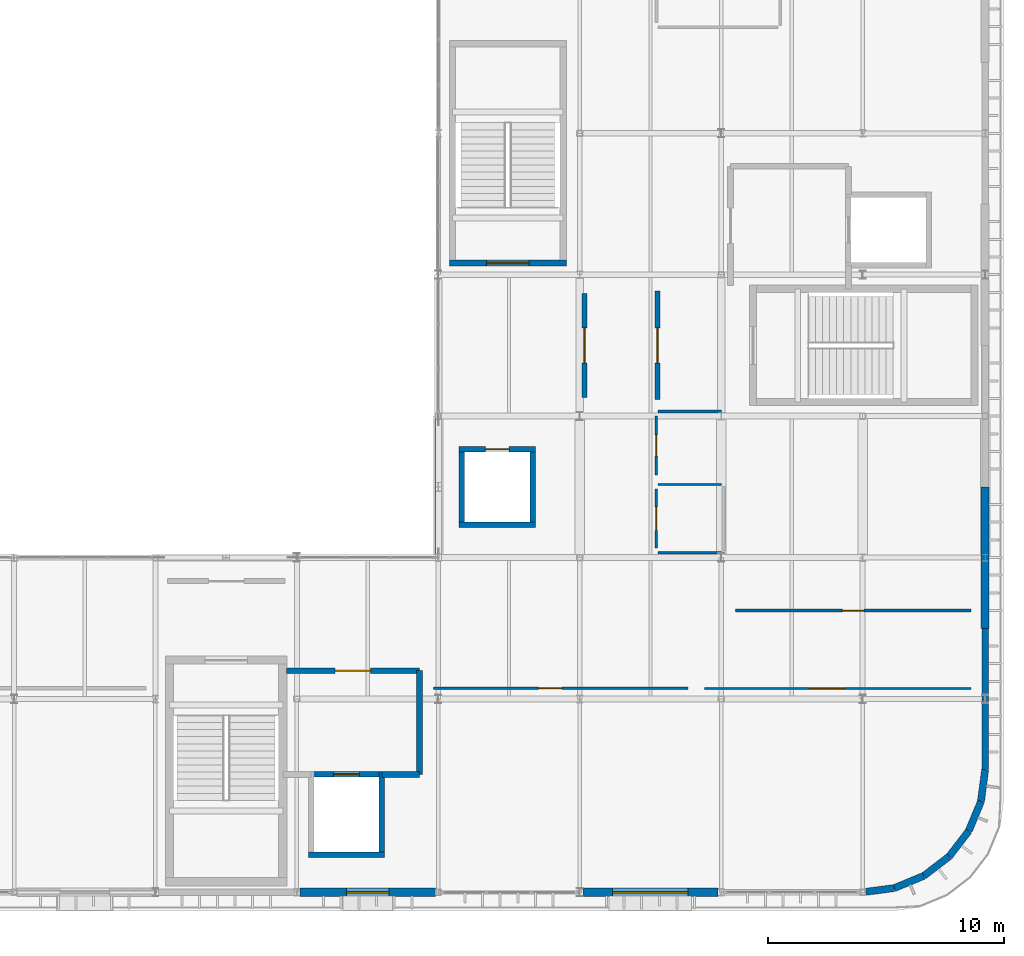
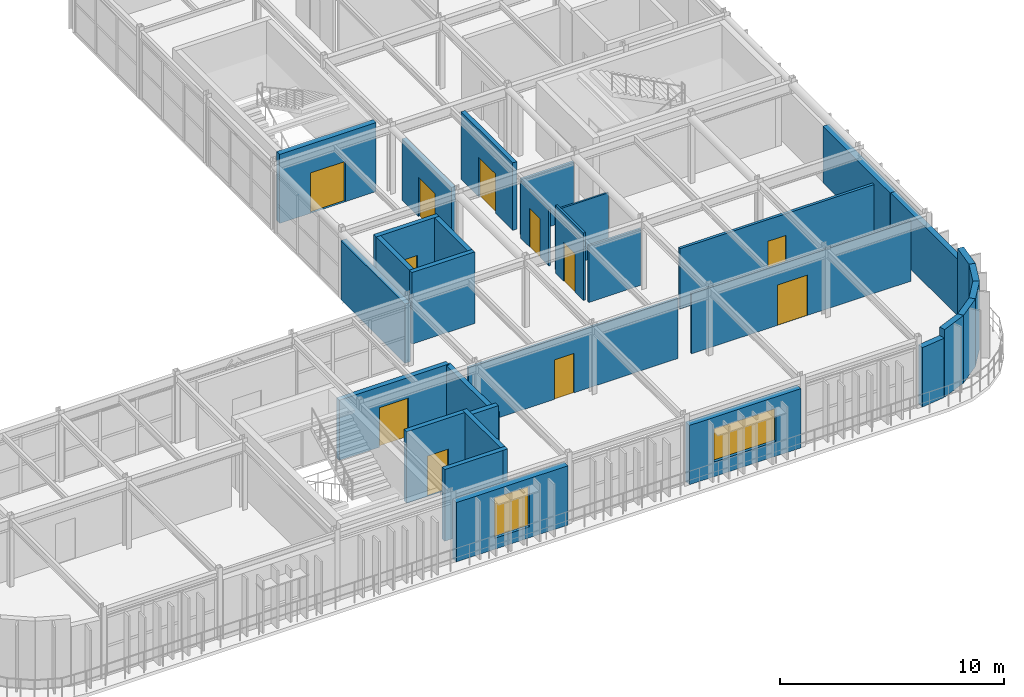
# One storey, part 51 of 63: 32 walls, 11 doors, 2 windows, 13 openings.
"""IFC4 building model written with IfcOpenShell, lengths in metres."""

from ifc_helpers import new_model, si_unit, direction, frame, frame_2d, origin, place, context, subcontext, project, spatial, rectangle, extrude, material, layer, layer_set, type_object, element, fill, save


model = new_model("IFC4")

# Units and contexts
model_context = context("Model", 3, precision=1e-05, world=origin(), true_north=direction((0.0, 1.0)))
body_context = subcontext(model_context, "Body", "Model", "MODEL_VIEW")
ifc_project = project(units=[si_unit("LENGTHUNIT", "METRE"), si_unit("AREAUNIT", "SQUARE_METRE"), si_unit("VOLUMEUNIT", "CUBIC_METRE"), si_unit("PLANEANGLEUNIT", "RADIAN"), si_unit("MASSUNIT", "GRAM", prefix="KILO")], contexts=[model_context])

# Site, building, storey
site_placement = place(None, origin())
site = spatial("IfcSite", under=ifc_project, at=site_placement, CompositionType="ELEMENT")
building_placement = place(site_placement, origin())
building = spatial("IfcBuilding", under=site, at=building_placement, Name="Varnakota Square Police Headquarters", CompositionType="ELEMENT")
storey_placement = place(building_placement, frame((0.0, 0.0, 22.199951171875)))
storey = spatial("IfcBuildingStorey", under=building, at=storey_placement, Name="L05", CompositionType="ELEMENT", Elevation=22.199951171875)

# Walls
ifc_material_1 = material(Name="Concrete M40", Category="concrete")
ifc_layer_1 = layer(ifc_material_1, 0.22998046875, Name="Concrete M40")
ifc_layer_set_1 = layer_set([ifc_layer_1], Name="Concrete M40")
wall_type_1 = type_object("IfcWallType", Name="WL-CORE-230", PredefinedType="SHEAR", material=ifc_layer_set_1)
wall_1_placement = place(storey_placement, frame((132.485107421875, 2.39990234375, 0.0), z_axis=(0.0, 0.0, 1.0), x_axis=(1.0, 0.0, 0.0)))
element("IfcWall", 1, at=wall_1_placement, inside=storey, type_object=wall_type_1, Name="Lift shaft wall LF-FF1 L05 S", PredefinedType="SHEAR", context=body_context, shape_type="SweptSolid", body=[
    extrude(rectangle(XDim=3.22998046875, YDim=0.22998046875, at=frame_2d((1.614990234375, 0.0))), origin(), (0.0, 0.0, 1.0), 3.900146484375),
])
wall_2_placement = place(storey_placement, frame((135.60009765625, 2.284912109375, 0.0), z_axis=(0.0, 0.0, 1.0), x_axis=(0.0, 1.0, 0.0)))
element("IfcWall", 2, at=wall_2_placement, inside=storey, type_object=wall_type_1, Name="Lift shaft wall LF-FF1 L05 E", PredefinedType="SHEAR", context=body_context, shape_type="SweptSolid", body=[
    extrude(rectangle(XDim=3.630126953125, YDim=0.22998046875, at=frame_2d((1.81494140625, 0.0))), origin(), (0.0, 0.0, 1.0), 3.900146484375),
])

# Wall, opening, door
wall_3_placement = place(storey_placement, frame((135.715087890625, 5.800048828125, 0.0), z_axis=(0.0, 0.0, 1.0), x_axis=(-1.0, 0.0, 0.0)))
wall_3 = element("IfcWall", 3, at=wall_3_placement, inside=storey, type_object=wall_type_1, Name="Lift shaft wall LF-FF1 L05 N", PredefinedType="SHEAR", context=body_context, shape_type="SweptSolid", body=[
    extrude(rectangle(XDim=3.22998046875, YDim=0.22998046875, at=frame_2d((1.614990234375, 0.0))), origin(), (0.0, 0.0, 1.0), 3.900146484375),
])
opening_1_placement = place(wall_3_placement, frame((1.06494140625, 0.0, 0.0)))
opening_1 = element("IfcOpeningElement", 4, at=opening_1_placement, cuts=wall_3, Name="Opening LD006", PredefinedType="OPENING", context=body_context, shape_type="SweptSolid", body=[
    extrude(rectangle(XDim=1.10009765625, YDim=2.199951171875, at=frame_2d((0.550048828125, 1.10009765625))), frame((0.0, 0.125, 0.0), z_axis=(0.0, -1.0, 0.0), x_axis=(1.0, 0.0, 0.0)), (0.0, 0.0, 1.0), 0.25),
])
ifc_material_2 = material(Name="Brushed Grade 316 Stainless Steel", Category="steel")
door_type_1 = type_object("IfcDoorType", Name="DR-LD-FF", OperationType="NOTDEFINED", PredefinedType="DOOR", material=ifc_material_2)
door_1_placement = place(opening_1_placement, origin())
door_1 = element("IfcDoor", 5, at=door_1_placement, inside=storey, type_object=door_type_1, Name="Lift sliding landing door LD006", OperationType="SLIDING_TO_LEFT", OverallHeight=2.199951171875, OverallWidth=1.10009765625, PredefinedType="DOOR", context=body_context, shape_type="SweptSolid", body=[
    extrude(rectangle(XDim=1.10009765625, YDim=2.199951171875, at=frame_2d((0.550048828125, 1.10009765625))), frame((0.0, 0.02490234375, 0.0), z_axis=(0.0, -1.0, 0.0), x_axis=(1.0, 0.0, 0.0)), (0.0, 0.0, 1.0), 0.050048828125),
])
fill(opening_1, door_1)

# Walls
wall_4_placement = place(storey_placement, frame((138.885009765625, 16.39990234375, 0.0), z_axis=(0.0, 0.0, 1.0), x_axis=(1.0, 0.0, 0.0)))
element("IfcWall", 6, at=wall_4_placement, inside=storey, type_object=wall_type_1, Name="Lift shaft wall LF-P1 L05 S", PredefinedType="SHEAR", context=body_context, shape_type="SweptSolid", body=[
    extrude(rectangle(XDim=3.22998046875, YDim=0.22998046875, at=frame_2d((1.614990234375, 0.0))), origin(), (0.0, 0.0, 1.0), 3.900146484375),
])
wall_5_placement = place(storey_placement, frame((142.0, 16.284912109375, 0.0), z_axis=(0.0, 0.0, 1.0), x_axis=(0.0, 1.0, 0.0)))
element("IfcWall", 7, at=wall_5_placement, inside=storey, type_object=wall_type_1, Name="Lift shaft wall LF-P1 L05 E", PredefinedType="SHEAR", context=body_context, shape_type="SweptSolid", body=[
    extrude(rectangle(XDim=3.43017578125, YDim=0.22998046875, at=frame_2d((1.715087890625, 0.0))), origin(), (0.0, 0.0, 1.0), 3.900146484375),
])

# Wall, opening, door
wall_6_placement = place(storey_placement, frame((142.114990234375, 19.60009765625, 0.0), z_axis=(0.0, 0.0, 1.0), x_axis=(-1.0, 0.0, 0.0)))
wall_6 = element("IfcWall", 8, at=wall_6_placement, inside=storey, type_object=wall_type_1, Name="Lift shaft wall LF-P1 L05 N", PredefinedType="SHEAR", context=body_context, shape_type="SweptSolid", body=[
    extrude(rectangle(XDim=3.22998046875, YDim=0.22998046875, at=frame_2d((1.614990234375, 0.0))), origin(), (0.0, 0.0, 1.0), 3.900146484375),
])
opening_2_placement = place(wall_6_placement, frame((1.114990234375, 0.0, 0.0)))
opening_2 = element("IfcOpeningElement", 9, at=opening_2_placement, cuts=wall_6, Name="Opening LD022", PredefinedType="OPENING", context=body_context, shape_type="SweptSolid", body=[
    extrude(rectangle(XDim=1.0, YDim=2.14990234375, at=frame_2d((0.5, 1.074951171875))), frame((0.0, 0.125, 0.0), z_axis=(0.0, -1.0, 0.0), x_axis=(1.0, 0.0, 0.0)), (0.0, 0.0, 1.0), 0.25),
])
door_type_2 = type_object("IfcDoorType", Name="DR-LD-PAX", OperationType="NOTDEFINED", PredefinedType="DOOR", material=ifc_material_2)
door_2_placement = place(opening_2_placement, origin())
door_2 = element("IfcDoor", 10, at=door_2_placement, inside=storey, type_object=door_type_2, Name="Lift sliding landing door LD022", OperationType="SLIDING_TO_LEFT", OverallHeight=2.14990234375, OverallWidth=1.0, PredefinedType="DOOR", context=body_context, shape_type="SweptSolid", body=[
    extrude(rectangle(XDim=1.0, YDim=2.14990234375, at=frame_2d((0.5, 1.074951171875))), frame((0.0, 0.02490234375, 0.0), z_axis=(0.0, -1.0, 0.0), x_axis=(1.0, 0.0, 0.0)), (0.0, 0.0, 1.0), 0.050048828125),
])
fill(opening_2, door_2)

# Wall
wall_7_placement = place(storey_placement, frame((139.0, 19.715087890625, 0.0), z_axis=(0.0, 0.0, 1.0), x_axis=(0.0, -1.0, 0.0)))
element("IfcWall", 11, at=wall_7_placement, inside=storey, type_object=wall_type_1, Name="Lift shaft wall LF-P1 L05 W", PredefinedType="SHEAR", context=body_context, shape_type="SweptSolid", body=[
    extrude(rectangle(XDim=3.43017578125, YDim=0.22998046875, at=frame_2d((1.715087890625, 0.0))), origin(), (0.0, 0.0, 1.0), 3.900146484375),
])

# Wall, opening, door
ifc_material_3 = material(Name="Concrete M50", Category="concrete")
ifc_layer_2 = layer(ifc_material_3, 0.27001953125, Name="Concrete M50")
ifc_layer_set_2 = layer_set([ifc_layer_2], Name="Concrete M50")
wall_type_2 = type_object("IfcWallType", Name="WL-CORE-270", PredefinedType="SHEAR", material=ifc_layer_set_2)
wall_8_placement = place(storey_placement, frame((138.465087890625, 27.5, 0.0), z_axis=(0.0, 0.0, 1.0), x_axis=(1.0, 0.0, 0.0)))
wall_8 = element("IfcWall", 12, at=wall_8_placement, inside=storey, type_object=wall_type_2, Name="Core C3 shear wall L05 S", PredefinedType="SHEAR", context=body_context, shape_type="SweptSolid", body=[
    extrude(rectangle(XDim=4.969970703125, YDim=0.27001953125, at=frame_2d((2.48486328125, 0.0))), origin(), (0.0, 0.0, 1.0), 3.760009765625),
])
opening_3_placement = place(wall_8_placement, frame((1.5849609375, 0.0, 0.0)))
opening_3 = element("IfcOpeningElement", 13, at=opening_3_placement, cuts=wall_8, Name="Opening SD054", PredefinedType="OPENING", context=body_context, shape_type="SweptSolid", body=[
    extrude(rectangle(XDim=1.800048828125, YDim=2.199951171875, at=frame_2d((0.89990234375, 1.10009765625))), frame((0.0, 0.14501953125, 0.0), z_axis=(0.0, -1.0, 0.0), x_axis=(1.0, 0.0, 0.0)), (0.0, 0.0, 1.0), 0.2900390625),
])
ifc_material_4 = material(Name="Powder-Coated Galvanised Steel", Category="steel")
door_type_3 = type_object("IfcDoorType", Name="DR-ST-180", OperationType="NOTDEFINED", PredefinedType="DOOR", material=ifc_material_4)
door_3_placement = place(opening_3_placement, origin())
door_3 = element("IfcDoor", 14, at=door_3_placement, inside=storey, type_object=door_type_3, Name="Protected stair door SD054", OperationType="DOUBLE_DOOR_SINGLE_SWING", OverallHeight=2.199951171875, OverallWidth=1.800048828125, PredefinedType="DOOR", context=body_context, shape_type="SweptSolid", body=[
    extrude(rectangle(XDim=1.800048828125, YDim=2.199951171875, at=frame_2d((0.89990234375, 1.10009765625))), frame((0.0, 0.02490234375, 0.0), z_axis=(0.0, -1.0, 0.0), x_axis=(1.0, 0.0, 0.0)), (0.0, 0.0, 1.0), 0.050048828125),
])
fill(opening_3, door_3)

# Walls
ifc_layer_3 = layer(ifc_material_1, 0.280029296875, Name="Concrete M40")
ifc_layer_set_3 = layer_set([ifc_layer_3], Name="Concrete M40")
wall_type_3 = type_object("IfcWallType", Name="WL-EXT-280", PredefinedType="SOLIDWALL", material=ifc_layer_set_3)
wall_9_placement = place(storey_placement, frame((161.199951171875, 6.0, 0.0), z_axis=(0.0, 0.0, 1.0), x_axis=(0.0, 1.0, 0.0)))
element("IfcWall", 15, at=wall_9_placement, inside=storey, type_object=wall_type_3, Name="Exterior wall EW-L05-0285", PredefinedType="SOLIDWALL", context=body_context, shape_type="SweptSolid", body=[
    extrude(rectangle(XDim=6.0, YDim=0.280029296875, at=frame_2d((3.0, 0.0))), origin(), (0.0, 0.0, 1.0), 3.080078125),
])
wall_10_placement = place(storey_placement, frame((138.0, 15.154052734375, 0.0), z_axis=(0.0, 0.0, 1.0), x_axis=(0.0, 1.0, 0.0)))
element("IfcWall", 16, at=wall_10_placement, inside=storey, type_object=wall_type_3, Name="Exterior wall EW-L05-0292", PredefinedType="SOLIDWALL", context=body_context, shape_type="SweptSolid", body=[
    extrude(rectangle(XDim=5.717041015625, YDim=0.280029296875, at=frame_2d((2.8583984375, 0.0))), origin(), (0.0, 0.0, 1.0), 3.22998046875),
])
ifc_material_5 = material(Name="Precast concrete M40", Category="concrete")
ifc_layer_4 = layer(ifc_material_5, 0.300048828125, Name="Precast concrete M40")
ifc_layer_set_4 = layer_set([ifc_layer_4], Name="Precast concrete M40")
wall_type_4 = type_object("IfcWallType", Name="WL-EXT-300", PredefinedType="SOLIDWALL", material=ifc_layer_set_4)
wall_11_placement = place(storey_placement, frame((156.14306640625, 0.81884765625, 0.0), z_axis=(0.0, 0.0, 1.0), x_axis=(0.99143579315, 0.130595053735, 0.0)))
element("IfcWall", 17, at=wall_11_placement, inside=storey, type_object=wall_type_4, Name="Exterior wall EW-L05-0304", PredefinedType="SOLIDWALL", context=body_context, shape_type="SweptSolid", body=[
    extrude(rectangle(XDim=1.21337890625, YDim=0.300048828125, at=frame_2d((0.606689453125, 0.0))), origin(), (0.0, 0.0, 1.0), 3.22998046875),
])
for number, where, z_axis, x_axis, name in (
    (18, (157.345947265625, 0.977294921875, 0.0), (0.0, 0.0, 1.0), (0.923931353894, 0.382558300513, 0.0), "Exterior wall EW-L05-0305"),
    (19, (158.60009765625, 1.49658203125, 0.0), (0.0, 0.0, 1.0), (0.793325486746, 0.608797726736, 0.0), "Exterior wall EW-L05-0306"),
    (20, (159.677001953125, 2.322998046875, 0.0), (0.0, 0.0, 1.0), (0.608797726736, 0.793325486746, 0.0), "Exterior wall EW-L05-0307"),
    (21, (160.50341796875, 3.39990234375, 0.0), (0.0, 0.0, 1.0), (0.382558300513, 0.923931353894, 0.0), "Exterior wall EW-L05-0308"),
):
    element("IfcWall", number, at=place(storey_placement, frame(where, z_axis=z_axis, x_axis=x_axis)), inside=storey, type_object=wall_type_4, Name=name, PredefinedType="SOLIDWALL", context=body_context, shape_type="SweptSolid", body=[
        extrude(rectangle(XDim=1.357421875, YDim=0.300048828125, at=frame_2d((0.6787109375, 0.0))), origin(), (0.0, 0.0, 1.0), 3.68505859375),
    ])
wall_12_placement = place(storey_placement, frame((161.022705078125, 4.654052734375, 0.0), z_axis=(0.0, 0.0, 1.0), x_axis=(0.130561507967, 0.991440211328, 0.0)))
element("IfcWall", 22, at=wall_12_placement, inside=storey, type_object=wall_type_4, Name="Exterior wall EW-L05-0309", PredefinedType="SOLIDWALL", context=body_context, shape_type="SweptSolid", body=[
    extrude(rectangle(XDim=1.357666015625, YDim=0.300048828125, at=frame_2d((0.6787109375, 0.0))), origin(), (0.0, 0.0, 1.0), 3.68505859375),
])

# Wall, opening, window
ifc_layer_5 = layer(ifc_material_1, 0.340087890625, Name="Concrete M40")
ifc_layer_set_5 = layer_set([ifc_layer_5], Name="Concrete M40")
wall_type_5 = type_object("IfcWallType", Name="WL-EXT-340", PredefinedType="SOLIDWALL", material=ifc_layer_set_5)
wall_13_placement = place(storey_placement, frame((132.12890625, 0.800048828125, 0.0), z_axis=(0.0, 0.0, 1.0), x_axis=(1.0, 0.0, 0.0)))
wall_13 = element("IfcWall", 23, at=wall_13_placement, inside=storey, type_object=wall_type_5, Name="Exterior wall EW-L05-0283", PredefinedType="SOLIDWALL", context=body_context, shape_type="SweptSolid", body=[
    extrude(rectangle(XDim=5.7421875, YDim=0.340087890625, at=frame_2d((2.87109375, 0.0))), origin(), (0.0, 0.0, 1.0), 3.22998046875),
])
opening_4_placement = place(wall_13_placement, frame((1.970947265625, 0.0, 0.60009765625)))
opening_4 = element("IfcOpeningElement", 24, at=opening_4_placement, cuts=wall_13, Name="Opening W11", PredefinedType="OPENING", context=body_context, shape_type="SweptSolid", body=[
    extrude(rectangle(XDim=1.800048828125, YDim=2.199951171875, at=frame_2d((0.89990234375, 1.10009765625))), frame((0.0, 0.179931640625, 0.0), z_axis=(0.0, -1.0, 0.0), x_axis=(1.0, 0.0, 0.0)), (0.0, 0.0, 1.0), 0.360107421875),
])
ifc_material_6 = material(Name="Thermally Broken Aluminium Double-Glazed Window", Category="aluminium")
window_type_1 = type_object("IfcWindowType", Name="WIN-11", PartitioningType="SINGLE_PANEL", PredefinedType="WINDOW", material=ifc_material_6)
window_1_placement = place(opening_4_placement, origin())
window_1 = element("IfcWindow", 25, at=window_1_placement, inside=storey, type_object=window_type_1, Name="Window WN-L05-0048", OverallHeight=2.199951171875, OverallWidth=1.800048828125, PartitioningType="SINGLE_PANEL", PredefinedType="WINDOW", context=body_context, shape_type="SweptSolid", body=[
    extrude(rectangle(XDim=1.800048828125, YDim=2.199951171875, at=frame_2d((0.89990234375, 1.10009765625))), frame((0.0, 0.030029296875, 0.0), z_axis=(0.0, -1.0, 0.0), x_axis=(1.0, 0.0, 0.0)), (0.0, 0.0, 1.0), 0.06005859375),
])
fill(opening_4, window_1)

wall_14_placement = place(storey_placement, frame((144.12890625, 0.800048828125, 0.0), z_axis=(0.0, 0.0, 1.0), x_axis=(1.0, 0.0, 0.0)))
wall_14 = element("IfcWall", 26, at=wall_14_placement, inside=storey, type_object=wall_type_5, Name="Exterior wall EW-L05-0284", PredefinedType="SOLIDWALL", context=body_context, shape_type="SweptSolid", body=[
    extrude(rectangle(XDim=5.7421875, YDim=0.340087890625, at=frame_2d((2.87109375, 0.0))), origin(), (0.0, 0.0, 1.0), 3.22998046875),
])
opening_5_placement = place(wall_14_placement, frame((1.27099609375, 0.0, 0.800048828125)))
opening_5 = element("IfcOpeningElement", 27, at=opening_5_placement, cuts=wall_14, Name="Opening W15", PredefinedType="OPENING", context=body_context, shape_type="SweptSolid", body=[
    extrude(rectangle(XDim=3.199951171875, YDim=1.800048828125, at=frame_2d((1.60009765625, 0.89990234375))), frame((0.0, 0.179931640625, 0.0), z_axis=(0.0, -1.0, 0.0), x_axis=(1.0, 0.0, 0.0)), (0.0, 0.0, 1.0), 0.360107421875),
])
window_type_2 = type_object("IfcWindowType", Name="WIN-15", PartitioningType="SINGLE_PANEL", PredefinedType="WINDOW", material=ifc_material_6)
window_2_placement = place(opening_5_placement, origin())
window_2 = element("IfcWindow", 28, at=window_2_placement, inside=storey, type_object=window_type_2, Name="Window WN-L05-0049", OverallHeight=1.800048828125, OverallWidth=3.199951171875, PartitioningType="SINGLE_PANEL", PredefinedType="WINDOW", context=body_context, shape_type="SweptSolid", body=[
    extrude(rectangle(XDim=3.199951171875, YDim=1.800048828125, at=frame_2d((1.60009765625, 0.89990234375))), frame((0.0, 0.030029296875, 0.0), z_axis=(0.0, -1.0, 0.0), x_axis=(1.0, 0.0, 0.0)), (0.0, 0.0, 1.0), 0.06005859375),
])
fill(opening_5, window_2)

# Wall
wall_15_placement = place(storey_placement, frame((161.199951171875, 12.0, 0.0), z_axis=(0.0, 0.0, 1.0), x_axis=(0.0, 1.0, 0.0)))
element("IfcWall", 29, at=wall_15_placement, inside=storey, type_object=wall_type_5, Name="Exterior wall EW-L05-0286", PredefinedType="SOLIDWALL", context=body_context, shape_type="SweptSolid", body=[
    extrude(rectangle(XDim=6.0, YDim=0.340087890625, at=frame_2d((3.0, 0.0))), origin(), (0.0, 0.0, 1.0), 3.080078125),
])

# Wall, opening, door
ifc_material_7 = material(Name="Lightweight Demountable Office Partition", Category="gypsum")
ifc_layer_6 = layer(ifc_material_7, 0.094970703125, Name="Lightweight Demountable Office Partition")
ifc_layer_set_6 = layer_set([ifc_layer_6], Name="Lightweight Demountable Office Partition")
wall_type_6 = type_object("IfcWallType", Name="WL-PRT-095", PredefinedType="PARTITIONING", material=ifc_layer_set_6)
wall_16_placement = place(storey_placement, frame((147.25, 18.5, 0.0), z_axis=(0.0, 0.0, 1.0), x_axis=(0.0, 1.0, 0.0)))
wall_16 = element("IfcWall", 30, at=wall_16_placement, inside=storey, type_object=wall_type_6, Name="Interior partition PW-L05-0220 (L05 Operations Men Washroom WC)", PredefinedType="PARTITIONING", context=body_context, shape_type="SweptSolid", body=[
    extrude(rectangle(XDim=2.5, YDim=0.094970703125, at=frame_2d((1.25, 0.0))), origin(), (0.0, 0.0, 1.0), 3.080078125),
])
opening_6_placement = place(wall_16_placement, frame((0.800048828125, 0.0, 0.0)))
opening_6 = element("IfcOpeningElement", 31, at=opening_6_placement, cuts=wall_16, Name="Opening D274", PredefinedType="OPENING", context=body_context, shape_type="SweptSolid", body=[
    extrude(rectangle(XDim=0.89990234375, YDim=2.10009765625, at=frame_2d((0.449951171875, 1.050048828125))), frame((0.0, 0.057373046875, 0.0), z_axis=(0.0, -1.0, 0.0), x_axis=(1.0, 0.0, 0.0)), (0.0, 0.0, 1.0), 0.114990234375),
])
ifc_material_8 = material(Name="High-Pressure Moisture-Resistant Compact Laminate")
door_type_4 = type_object("IfcDoorType", Name="DR-WC-090", OperationType="NOTDEFINED", PredefinedType="DOOR", material=ifc_material_8)
door_4_placement = place(opening_6_placement, origin())
door_4 = element("IfcDoor", 32, at=door_4_placement, inside=storey, type_object=door_type_4, Name="Room door D274 (L05 Operations Men Washroom WC)", OperationType="SINGLE_SWING_LEFT", OverallHeight=2.10009765625, OverallWidth=0.89990234375, PredefinedType="DOOR", context=body_context, shape_type="SweptSolid", body=[
    extrude(rectangle(XDim=0.89990234375, YDim=2.10009765625, at=frame_2d((0.449951171875, 1.050048828125))), frame((0.0, 0.02490234375, 0.0), z_axis=(0.0, -1.0, 0.0), x_axis=(1.0, 0.0, 0.0)), (0.0, 0.0, 1.0), 0.050048828125),
])
fill(opening_6, door_4)

wall_17_placement = place(storey_placement, frame((149.300048828125, 9.449951171875, 0.0), z_axis=(0.0, 0.0, 1.0), x_axis=(1.0, 0.0, 0.0)))
wall_17 = element("IfcWall", 33, at=wall_17_placement, inside=storey, type_object=wall_type_6, Name="Interior partition PW-L05-0230 (Special Taskforce Conference Room)", PredefinedType="PARTITIONING", context=body_context, shape_type="SweptSolid", body=[
    extrude(rectangle(XDim=11.300048828125, YDim=0.094970703125, at=frame_2d((5.64990234375, 0.0))), origin(), (0.0, 0.0, 1.0), 3.280029296875),
])
opening_7_placement = place(wall_17_placement, frame((4.425048828125, 0.0, 0.0)))
opening_7 = element("IfcOpeningElement", 34, at=opening_7_placement, cuts=wall_17, Name="Opening D284", PredefinedType="OPENING", context=body_context, shape_type="SweptSolid", body=[
    extrude(rectangle(XDim=1.550048828125, YDim=2.199951171875, at=frame_2d((0.77490234375, 1.10009765625))), frame((0.0, 0.057373046875, 0.0), z_axis=(0.0, -1.0, 0.0), x_axis=(1.0, 0.0, 0.0)), (0.0, 0.0, 1.0), 0.114990234375),
])
ifc_material_9 = material(Name="Solid-Core Acoustic Oak Veneer Timber", Category="wood")
door_type_5 = type_object("IfcDoorType", Name="DR-BRF-155", OperationType="NOTDEFINED", PredefinedType="DOOR", material=ifc_material_9)
door_5_placement = place(opening_7_placement, origin())
door_5 = element("IfcDoor", 35, at=door_5_placement, inside=storey, type_object=door_type_5, Name="Room door D284 (Special Taskforce Conference Room)", OperationType="DOUBLE_DOOR_SINGLE_SWING", OverallHeight=2.199951171875, OverallWidth=1.550048828125, PredefinedType="DOOR", context=body_context, shape_type="SweptSolid", body=[
    extrude(rectangle(XDim=1.550048828125, YDim=2.199951171875, at=frame_2d((0.77490234375, 1.10009765625))), frame((0.0, 0.02490234375, 0.0), z_axis=(0.0, -1.0, 0.0), x_axis=(1.0, 0.0, 0.0)), (0.0, 0.0, 1.0), 0.050048828125),
])
fill(opening_7, door_5)

# Walls
wall_18_placement = place(storey_placement, frame((147.330078125, 18.10009765625, 0.0), z_axis=(0.0, 0.0, 1.0), x_axis=(1.0, 0.0, 0.0)))
element("IfcWall", 36, at=wall_18_placement, inside=storey, type_object=wall_type_6, Name="Interior dividing partition PW-L05-0236 (L05 Accessible WC East)", PredefinedType="PARTITIONING", context=body_context, shape_type="SweptSolid", body=[
    extrude(rectangle(XDim=2.68994140625, YDim=0.094970703125, at=frame_2d((1.344970703125, 0.0))), origin(), (0.0, 0.0, 1.0), 3.273681640625),
])
ifc_material_10 = material(Name="Glazed Clean-Lab Modular Partition", Category="gypsum")
ifc_layer_7 = layer(ifc_material_10, 0.10498046875, Name="Glazed Clean-Lab Modular Partition")
ifc_layer_set_7 = layer_set([ifc_layer_7], Name="Glazed Clean-Lab Modular Partition")
wall_type_7 = type_object("IfcWallType", Name="WL-PRT-105", PredefinedType="PARTITIONING", material=ifc_layer_set_7)
wall_19_placement = place(storey_placement, frame((150.02001953125, 15.199951171875, 0.0), z_axis=(0.0, 0.0, 1.0), x_axis=(-1.0, 0.0, 0.0)))
element("IfcWall", 37, at=wall_19_placement, inside=storey, type_object=wall_type_7, Name="Interior dividing partition PW-L05-0235 (L05 Accessible WC East)", PredefinedType="PARTITIONING", context=body_context, shape_type="SweptSolid", body=[
    extrude(rectangle(XDim=2.68994140625, YDim=0.10498046875, at=frame_2d((1.344970703125, 0.0))), origin(), (0.0, 0.0, 1.0), 3.080078125),
])

# Wall, opening, door
ifc_material_11 = material(Name="Moisture-Resistant Tile-Backed Partition", Category="gypsum")
ifc_layer_8 = layer(ifc_material_11, 0.114990234375, Name="Moisture-Resistant Tile-Backed Partition")
ifc_layer_set_8 = layer_set([ifc_layer_8], Name="Moisture-Resistant Tile-Backed Partition")
wall_type_8 = type_object("IfcWallType", Name="WL-PRT-115", PredefinedType="PARTITIONING", material=ifc_layer_set_8)
wall_20_placement = place(storey_placement, frame((147.25, 15.39990234375, 0.0), z_axis=(0.0, 0.0, 1.0), x_axis=(0.0, 1.0, 0.0)))
wall_20 = element("IfcWall", 38, at=wall_20_placement, inside=storey, type_object=wall_type_8, Name="Interior partition PW-L05-0219 (L05 Accessible WC East)", PredefinedType="PARTITIONING", context=body_context, shape_type="SweptSolid", body=[
    extrude(rectangle(XDim=2.5, YDim=0.114990234375, at=frame_2d((1.25, 0.0))), origin(), (0.0, 0.0, 1.0), 3.679931640625),
])
opening_8_placement = place(wall_20_placement, frame((0.75, 0.0, 0.0)))
opening_8 = element("IfcOpeningElement", 39, at=opening_8_placement, cuts=wall_20, Name="Opening D273", PredefinedType="OPENING", context=body_context, shape_type="SweptSolid", body=[
    extrude(rectangle(XDim=1.0, YDim=2.10009765625, at=frame_2d((0.5, 1.050048828125))), frame((0.0, 0.0673828125, 0.0), z_axis=(0.0, -1.0, 0.0), x_axis=(1.0, 0.0, 0.0)), (0.0, 0.0, 1.0), 0.135009765625),
])
ifc_material_12 = material(Name="Antimicrobial High-Pressure Compact Laminate")
door_type_6 = type_object("IfcDoorType", Name="DR-WCA-100", OperationType="NOTDEFINED", PredefinedType="DOOR", material=ifc_material_12)
door_6_placement = place(opening_8_placement, origin())
door_6 = element("IfcDoor", 40, at=door_6_placement, inside=storey, type_object=door_type_6, Name="Room door D273 (L05 Accessible WC East)", OperationType="SINGLE_SWING_RIGHT", OverallHeight=2.10009765625, OverallWidth=1.0, PredefinedType="DOOR", context=body_context, shape_type="SweptSolid", body=[
    extrude(rectangle(XDim=1.0, YDim=2.10009765625, at=frame_2d((0.5, 1.050048828125))), frame((0.0, 0.02490234375, 0.0), z_axis=(0.0, -1.0, 0.0), x_axis=(1.0, 0.0, 0.0)), (0.0, 0.0, 1.0), 0.050048828125),
])
fill(opening_8, door_6)

wall_21_placement = place(storey_placement, frame((137.800048828125, 9.449951171875, 0.0), z_axis=(0.0, 0.0, 1.0), x_axis=(1.0, 0.0, 0.0)))
wall_21 = element("IfcWall", 41, at=wall_21_placement, inside=storey, type_object=wall_type_8, Name="Interior partition PW-L05-0229 (Financial Intelligence Unit Office)", PredefinedType="PARTITIONING", context=body_context, shape_type="SweptSolid", body=[
    extrude(rectangle(XDim=10.800048828125, YDim=0.114990234375, at=frame_2d((5.39990234375, 0.0))), origin(), (0.0, 0.0, 1.0), 3.280029296875),
])
opening_9_placement = place(wall_21_placement, frame((4.449951171875, 0.0, 0.0)))
opening_9 = element("IfcOpeningElement", 42, at=opening_9_placement, cuts=wall_21, Name="Opening D283", PredefinedType="OPENING", context=body_context, shape_type="SweptSolid", body=[
    extrude(rectangle(XDim=1.0, YDim=2.14990234375, at=frame_2d((0.5, 1.074951171875))), frame((0.0, 0.0673828125, 0.0), z_axis=(0.0, -1.0, 0.0), x_axis=(1.0, 0.0, 0.0)), (0.0, 0.0, 1.0), 0.135009765625),
])
ifc_material_13 = material(Name="Solid-Core Teak Veneer Hardwood", Category="wood")
door_type_7 = type_object("IfcDoorType", Name="DR-OFF-100", OperationType="NOTDEFINED", PredefinedType="DOOR", material=ifc_material_13)
door_7_placement = place(opening_9_placement, origin())
door_7 = element("IfcDoor", 43, at=door_7_placement, inside=storey, type_object=door_type_7, Name="Room door D283 (Financial Intelligence Unit Office)", OperationType="SINGLE_SWING_RIGHT", OverallHeight=2.14990234375, OverallWidth=1.0, PredefinedType="DOOR", context=body_context, shape_type="SweptSolid", body=[
    extrude(rectangle(XDim=1.0, YDim=2.14990234375, at=frame_2d((0.5, 1.074951171875))), frame((0.0, 0.02490234375, 0.0), z_axis=(0.0, -1.0, 0.0), x_axis=(1.0, 0.0, 0.0)), (0.0, 0.0, 1.0), 0.050048828125),
])
fill(opening_9, door_7)

# Wall
ifc_material_14 = material(Name="Acoustic Insulated Metal-Stud Partition", Category="gypsum")
ifc_layer_9 = layer(ifc_material_14, 0.125, Name="Acoustic Insulated Metal-Stud Partition")
ifc_layer_set_9 = layer_set([ifc_layer_9], Name="Acoustic Insulated Metal-Stud Partition")
wall_type_9 = type_object("IfcWallType", Name="WL-PRT-125", PredefinedType="PARTITIONING", material=ifc_layer_set_9)
wall_22_placement = place(storey_placement, frame((147.330078125, 21.199951171875, 0.0), z_axis=(0.0, 0.0, 1.0), x_axis=(1.0, 0.0, 0.0)))
element("IfcWall", 44, at=wall_22_placement, inside=storey, type_object=wall_type_9, Name="Interior dividing partition PW-L05-0237 (L05 Operations Men Washroom WC)", PredefinedType="PARTITIONING", context=body_context, shape_type="SweptSolid", body=[
    extrude(rectangle(XDim=2.68994140625, YDim=0.125, at=frame_2d((1.344970703125, 0.0))), origin(), (0.0, 0.0, 1.0), 3.080078125),
])

# Wall, opening, door
ifc_layer_10 = layer(ifc_material_14, 0.139892578125, Name="Acoustic Insulated Metal-Stud Partition")
ifc_layer_set_10 = layer_set([ifc_layer_10], Name="Acoustic Insulated Metal-Stud Partition")
wall_type_10 = type_object("IfcWallType", Name="WL-PRT-140", PredefinedType="PARTITIONING", material=ifc_layer_set_10)
wall_23_placement = place(storey_placement, frame((160.60009765625, 12.75, 0.0), z_axis=(0.0, 0.0, 1.0), x_axis=(-1.0, 0.0, 0.0)))
wall_23 = element("IfcWall", 45, at=wall_23_placement, inside=storey, type_object=wall_type_10, Name="Interior partition PW-L05-0233 (Fifth Floor Staff Canteen Pantry)", PredefinedType="PARTITIONING", context=body_context, shape_type="SweptSolid", body=[
    extrude(rectangle(XDim=10.0, YDim=0.139892578125, at=frame_2d((5.0, 0.0))), origin(), (0.0, 0.0, 1.0), 3.280029296875),
])
opening_10_placement = place(wall_23_placement, frame((4.5400390625, 0.0, 0.0)))
opening_10 = element("IfcOpeningElement", 46, at=opening_10_placement, cuts=wall_23, Name="Opening D287", PredefinedType="OPENING", context=body_context, shape_type="SweptSolid", body=[
    extrude(rectangle(XDim=0.919921875, YDim=2.10009765625, at=frame_2d((0.4599609375, 1.050048828125))), frame((0.0, 0.079833984375, 0.0), z_axis=(0.0, -1.0, 0.0), x_axis=(1.0, 0.0, 0.0)), (0.0, 0.0, 1.0), 0.159912109375),
])
ifc_material_15 = material(Name="High-Pressure Melamine-Faced Hardwood Core", Category="wood")
door_type_8 = type_object("IfcDoorType", Name="DR-PAN-092", OperationType="NOTDEFINED", PredefinedType="DOOR", material=ifc_material_15)
door_8_placement = place(opening_10_placement, origin())
door_8 = element("IfcDoor", 47, at=door_8_placement, inside=storey, type_object=door_type_8, Name="Room door D287 (Fifth Floor Staff Canteen Pantry)", OperationType="SINGLE_SWING_LEFT", OverallHeight=2.10009765625, OverallWidth=0.919921875, PredefinedType="DOOR", context=body_context, shape_type="SweptSolid", body=[
    extrude(rectangle(XDim=0.919921875, YDim=2.10009765625, at=frame_2d((0.4599609375, 1.050048828125))), frame((0.0, 0.02490234375, 0.0), z_axis=(0.0, -1.0, 0.0), x_axis=(1.0, 0.0, 0.0)), (0.0, 0.0, 1.0), 0.050048828125),
])
fill(opening_10, door_8)

ifc_layer_11 = layer(ifc_material_1, 0.215087890625, Name="Concrete M40")
ifc_layer_set_11 = layer_set([ifc_layer_11], Name="Concrete M40")
wall_type_11 = type_object("IfcWallType", Name="WL-PRT-215F", PredefinedType="PARTITIONING", material=ifc_layer_set_11)
wall_24_placement = place(storey_placement, frame((147.300048828125, 21.699951171875, 0.0), z_axis=(0.0, 0.0, 1.0), x_axis=(0.0, 1.0, 0.0)))
wall_24 = element("IfcWall", 48, at=wall_24_placement, inside=storey, type_object=wall_type_11, Name="Core C2 lobby fire partition L05", PredefinedType="PARTITIONING", context=body_context, shape_type="SweptSolid", body=[
    extrude(rectangle(XDim=4.60009765625, YDim=0.215087890625, at=frame_2d((2.300048828125, 0.0))), origin(), (0.0, 0.0, 1.0), 3.679931640625),
])
opening_11_placement = place(wall_24_placement, frame((1.550048828125, 0.0, 0.0)))
opening_11 = element("IfcOpeningElement", 49, at=opening_11_placement, cuts=wall_24, Name="Opening FD043", PredefinedType="OPENING", context=body_context, shape_type="SweptSolid", body=[
    extrude(rectangle(XDim=1.5, YDim=2.14990234375, at=frame_2d((0.75, 1.074951171875))), frame((0.0, 0.117431640625, 0.0), z_axis=(0.0, -1.0, 0.0), x_axis=(1.0, 0.0, 0.0)), (0.0, 0.0, 1.0), 0.235107421875),
])
ifc_material_16 = material(Name="Smoke-Sealed Galvanised Acoustic Steel", Category="steel")
door_type_9 = type_object("IfcDoorType", Name="DR-FFL-150", OperationType="NOTDEFINED", PredefinedType="DOOR", material=ifc_material_16)
door_9_placement = place(opening_11_placement, origin())
door_9 = element("IfcDoor", 50, at=door_9_placement, inside=storey, type_object=door_type_9, Name="Core lobby smoke door FD043", OperationType="DOUBLE_DOOR_SINGLE_SWING", OverallHeight=2.14990234375, OverallWidth=1.5, PredefinedType="DOOR", context=body_context, shape_type="SweptSolid", body=[
    extrude(rectangle(XDim=1.5, YDim=2.14990234375, at=frame_2d((0.75, 1.074951171875))), frame((0.0, 0.02490234375, 0.0), z_axis=(0.0, -1.0, 0.0), x_axis=(1.0, 0.0, 0.0)), (0.0, 0.0, 1.0), 0.050048828125),
])
fill(opening_11, door_9)

wall_25_placement = place(storey_placement, frame((144.199951171875, 21.800048828125, 0.0), z_axis=(0.0, 0.0, 1.0), x_axis=(0.0, 1.0, 0.0)))
wall_25 = element("IfcWall", 51, at=wall_25_placement, inside=storey, type_object=wall_type_11, Name="Core C3 lobby fire partition L05", PredefinedType="PARTITIONING", context=body_context, shape_type="SweptSolid", body=[
    extrude(rectangle(XDim=4.39990234375, YDim=0.215087890625, at=frame_2d((2.199951171875, 0.0))), origin(), (0.0, 0.0, 1.0), 3.356201171875),
])
opening_12_placement = place(wall_25_placement, frame((1.449951171875, 0.0, 0.0)))
opening_12 = element("IfcOpeningElement", 52, at=opening_12_placement, cuts=wall_25, Name="Opening FD062", PredefinedType="OPENING", context=body_context, shape_type="SweptSolid", body=[
    extrude(rectangle(XDim=1.5, YDim=2.14990234375, at=frame_2d((0.75, 1.074951171875))), frame((0.0, 0.117431640625, 0.0), z_axis=(0.0, -1.0, 0.0), x_axis=(1.0, 0.0, 0.0)), (0.0, 0.0, 1.0), 0.235107421875),
])
door_10_placement = place(opening_12_placement, origin())
door_10 = element("IfcDoor", 53, at=door_10_placement, inside=storey, type_object=door_type_9, Name="Core lobby smoke door FD062", OperationType="DOUBLE_DOOR_SINGLE_SWING", OverallHeight=2.14990234375, OverallWidth=1.5, PredefinedType="DOOR", context=body_context, shape_type="SweptSolid", body=[
    extrude(rectangle(XDim=1.5, YDim=2.14990234375, at=frame_2d((0.75, 1.074951171875))), frame((0.0, 0.02490234375, 0.0), z_axis=(0.0, -1.0, 0.0), x_axis=(1.0, 0.0, 0.0)), (0.0, 0.0, 1.0), 0.050048828125),
])
fill(opening_12, door_10)

ifc_layer_12 = layer(ifc_material_1, 0.25, Name="Concrete M40")
ifc_layer_set_12 = layer_set([ifc_layer_12], Name="Concrete M40")
wall_type_12 = type_object("IfcWallType", Name="WL-PRT-250F", PredefinedType="PARTITIONING", material=ifc_layer_set_12)
wall_26_placement = place(storey_placement, frame((131.550048828125, 10.199951171875, 0.0), z_axis=(0.0, 0.0, 1.0), x_axis=(1.0, 0.0, 0.0)))
wall_26 = element("IfcWall", 54, at=wall_26_placement, inside=storey, type_object=wall_type_12, Name="Firefighting lobby enclosure C1 L05", PredefinedType="PARTITIONING", context=body_context, shape_type="SweptSolid", body=[
    extrude(rectangle(XDim=5.64990234375, YDim=0.25, at=frame_2d((2.824951171875, 0.0))), origin(), (0.0, 0.0, 1.0), 3.280029296875),
])
opening_13_placement = place(wall_26_placement, frame((2.074951171875, 0.0, 0.0)))
opening_13 = element("IfcOpeningElement", 55, at=opening_13_placement, cuts=wall_26, Name="Opening FD020", PredefinedType="OPENING", context=body_context, shape_type="SweptSolid", body=[
    extrude(rectangle(XDim=1.5, YDim=2.14990234375, at=frame_2d((0.75, 1.074951171875))), frame((0.0, 0.135009765625, 0.0), z_axis=(0.0, -1.0, 0.0), x_axis=(1.0, 0.0, 0.0)), (0.0, 0.0, 1.0), 0.27001953125),
])
door_11_placement = place(opening_13_placement, origin())
door_11 = element("IfcDoor", 56, at=door_11_placement, inside=storey, type_object=door_type_9, Name="Firefighting lobby fire door FD020", OperationType="DOUBLE_DOOR_SINGLE_SWING", OverallHeight=2.14990234375, OverallWidth=1.5, PredefinedType="DOOR", context=body_context, shape_type="SweptSolid", body=[
    extrude(rectangle(XDim=1.5, YDim=2.14990234375, at=frame_2d((0.75, 1.074951171875))), frame((0.0, 0.02490234375, 0.0), z_axis=(0.0, -1.0, 0.0), x_axis=(1.0, 0.0, 0.0)), (0.0, 0.0, 1.0), 0.050048828125),
])
fill(opening_13, door_11)

# Walls
wall_27_placement = place(storey_placement, frame((137.199951171875, 5.800048828125, 0.0), z_axis=(0.0, 0.0, 1.0), x_axis=(0.0, 1.0, 0.0)))
element("IfcWall", 57, at=wall_27_placement, inside=storey, type_object=wall_type_12, Name="Firefighting lobby return wall C1 L05 E", PredefinedType="PARTITIONING", context=body_context, shape_type="SweptSolid", body=[
    extrude(rectangle(XDim=4.39990234375, YDim=0.25, at=frame_2d((2.199951171875, 0.0))), origin(), (0.0, 0.0, 1.0), 3.22998046875),
])
wall_28_placement = place(storey_placement, frame((135.60009765625, 5.800048828125, 0.0), z_axis=(0.0, 0.0, 1.0), x_axis=(1.0, 0.0, 0.0)))
element("IfcWall", 58, at=wall_28_placement, inside=storey, type_object=wall_type_12, Name="Firefighting lobby return wall C1 L05 SE", PredefinedType="PARTITIONING", context=body_context, shape_type="SweptSolid", body=[
    extrude(rectangle(XDim=1.599853515625, YDim=0.25, at=frame_2d((0.7998046875, 0.0))), origin(), (0.0, 0.0, 1.0), 3.679931640625),
])

save(model, "model.ifc")
